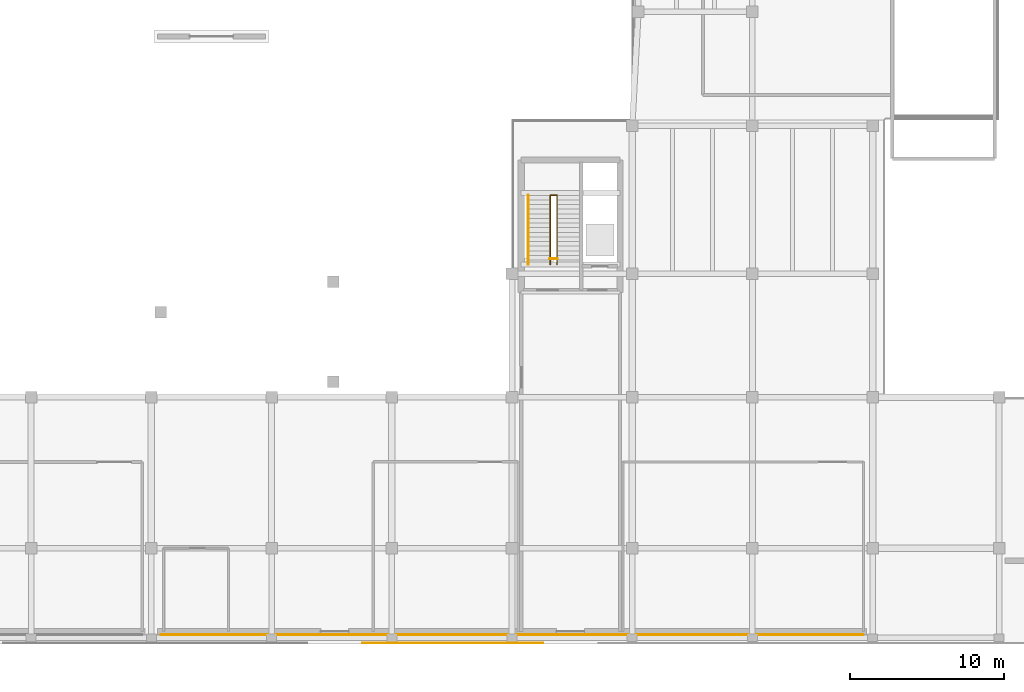
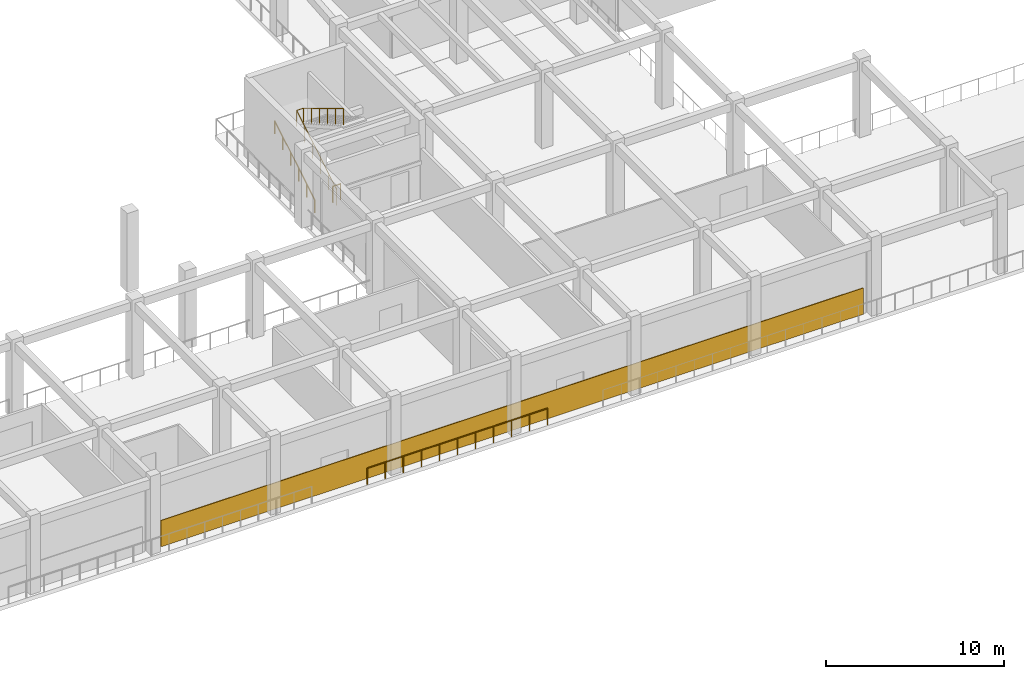
# One storey, part 91 of 96: 4 railings, 1 covering.
"""IFC4 building model written with IfcOpenShell, lengths in metres."""

from ifc_helpers import new_model, si_unit, direction, frame, origin, origin_2d, place, context, subcontext, project, spatial, rectangle, circle, extrude, material, layer, layer_set, type_object, element, save


model = new_model("IFC4")

# Units and contexts
model_context = context("Model", 3, precision=1e-05, world=origin(), true_north=direction((0.0, 1.0)))
body_context = subcontext(model_context, "Body", "Model", "MODEL_VIEW")
ifc_project = project(units=[si_unit("LENGTHUNIT", "METRE"), si_unit("AREAUNIT", "SQUARE_METRE"), si_unit("VOLUMEUNIT", "CUBIC_METRE"), si_unit("PLANEANGLEUNIT", "RADIAN"), si_unit("MASSUNIT", "GRAM", prefix="KILO")], contexts=[model_context])

# Site, building, storey
site_placement = place(None, origin())
site = spatial("IfcSite", under=ifc_project, at=site_placement, CompositionType="ELEMENT")
building_placement = place(site_placement, origin())
building = spatial("IfcBuilding", under=site, at=building_placement, Name="Pelvatis Terrace Science Centre", CompositionType="ELEMENT")
storey_placement = place(building_placement, origin())
storey = spatial("IfcBuildingStorey", under=building, at=storey_placement, Name="L00", CompositionType="ELEMENT", Elevation=0.0)

# Covering
ifc_material_1 = material(Name="Polished black Uruguayan granite ashlar cladding", Category="masonry")
ifc_layer = layer(ifc_material_1, 0.050048828125)
ifc_layer_set = layer_set([ifc_layer], Name="Polished black Uruguayan granite ashlar cladding")
covering_type = type_object("IfcCoveringType", Name="COV-CLAD-GRAN-50", PredefinedType="CLADDING", material=ifc_layer_set)
covering_placement = place(storey_placement, frame((132.60009765625, 0.592529296875, 0.0), z_axis=(0.0, 0.0, 1.0), x_axis=(1.0, 0.0, 0.0)))
element("IfcCovering", 1, at=covering_placement, inside=storey, type_object=covering_type, Name="Polished black granite base cladding EW-L00-S4", PredefinedType="CLADDING", context=body_context, shape_type="SweptSolid", body=[
    extrude(rectangle(XDim=45.60009765625, YDim=0.050048828125, at=origin_2d()), origin(), (0.0, 0.0, 1.0), 1.800048828125),
])

# Railings
ifc_material_2 = material(Name="Bronze-anodised aluminium and laminated safety glass balustrade", Category="aluminium")
railing_type_1 = type_object("IfcRailingType", Name="RLG-BAL-1150", PredefinedType="BALUSTRADE", material=ifc_material_2)
railing_1_placement = place(storey_placement, frame((134.60009765625, 0.06005859375, 0.0)))
element("IfcRailing", 2, at=railing_1_placement, inside=storey, type_object=railing_type_1, Name="Perimeter edge balustrade RLG-EDG-L00-010", PredefinedType="BALUSTRADE", context=body_context, shape_type="SweptSolid", body=[
    extrude(circle(Radius=0.02392578125, at=origin_2d()), frame((0.0, 0.0, 1.1259765625), z_axis=(-1.0, 0.0, 0.0), x_axis=(0.0, -1.0, 0.0)), (0.0, 0.0, 1.0), 11.7001953125),
    extrude(circle(Radius=0.02099609375, at=origin_2d()), origin(), (0.0, 0.0, 1.0), 1.101806640625),
    extrude(circle(Radius=0.02099609375, at=origin_2d()), frame((-1.169921875, 0.0, 0.0)), (0.0, 0.0, 1.0), 1.101806640625),
    extrude(circle(Radius=0.02099609375, at=origin_2d()), frame((-2.340087890625, 0.0, 0.0)), (0.0, 0.0, 1.0), 1.101806640625),
    extrude(circle(Radius=0.02099609375, at=origin_2d()), frame((-3.510009765625, 0.0, 0.0)), (0.0, 0.0, 1.0), 1.101806640625),
    extrude(circle(Radius=0.02099609375, at=origin_2d()), frame((-4.68017578125, 0.0, 0.0)), (0.0, 0.0, 1.0), 1.101806640625),
    extrude(circle(Radius=0.02099609375, at=origin_2d()), frame((-5.85009765625, 0.0, 0.0)), (0.0, 0.0, 1.0), 1.101806640625),
    extrude(circle(Radius=0.02099609375, at=origin_2d()), frame((-7.02001953125, 0.0, 0.0)), (0.0, 0.0, 1.0), 1.101806640625),
    extrude(circle(Radius=0.02099609375, at=origin_2d()), frame((-8.190185546875, 0.0, 0.0)), (0.0, 0.0, 1.0), 1.101806640625),
    extrude(circle(Radius=0.02099609375, at=origin_2d()), frame((-9.360107421875, 0.0, 0.0)), (0.0, 0.0, 1.0), 1.101806640625),
    extrude(circle(Radius=0.02099609375, at=origin_2d()), frame((-10.5302734375, 0.0, 0.0)), (0.0, 0.0, 1.0), 1.101806640625),
    extrude(circle(Radius=0.02099609375, at=origin_2d()), frame((-11.7001953125, 0.0, 0.0)), (0.0, 0.0, 1.0), 1.101806640625),
])
ifc_material_3 = material(Name="Brushed architectural bronze tubular railing", Category="steel")
railing_type_2 = type_object("IfcRailingType", Name="RLG-GRD-1120", PredefinedType="GUARDRAIL", material=ifc_material_3)
railing_2_placement = place(storey_placement, frame((135.080078125, 24.60009765625, 0.0)))
element("IfcRailing", 3, at=railing_2_placement, inside=storey, type_object=railing_type_2, Name="Stair ST-04-L00 inner well guardrail", PredefinedType="GUARDRAIL", context=body_context, shape_type="SweptSolid", body=[
    extrude(circle(Radius=0.02392578125, at=origin_2d()), frame((0.0, 0.0, 1.09619140625), z_axis=(0.0, 0.857497030584, 0.514488913912), x_axis=(-1.0, 0.0, 0.0)), (0.0, 0.0, 1.0), 5.247802734375),
    extrude(circle(Radius=0.02392578125, at=origin_2d()), frame((0.0, 4.5, 3.7958984375), z_axis=(1.0, 0.0, 0.0), x_axis=(0.0, 1.0, 0.0)), (0.0, 0.0, 1.0), 0.43994140625),
    extrude(circle(Radius=0.02392578125, at=origin_2d()), frame((0.43994140625, 4.5, 3.7958984375), z_axis=(0.0, -0.857497030584, 0.514488913912), x_axis=(1.0, 0.0, 0.0)), (0.0, 0.0, 1.0), 5.247802734375),
    extrude(circle(Radius=0.02099609375, at=origin_2d()), origin(), (0.0, 0.0, 1.0), 1.072021484375),
    extrude(circle(Radius=0.02099609375, at=origin_2d()), frame((0.0, 0.89990234375, 0.5400390625)), (0.0, 0.0, 1.0), 1.072021484375),
    extrude(circle(Radius=0.02099609375, at=origin_2d()), frame((0.0, 1.800048828125, 1.080078125)), (0.0, 0.0, 1.0), 1.072021484375),
    extrude(circle(Radius=0.02099609375, at=origin_2d()), frame((0.0, 2.699951171875, 1.619873046875)), (0.0, 0.0, 1.0), 1.072021484375),
    extrude(circle(Radius=0.02099609375, at=origin_2d()), frame((0.0, 3.60009765625, 2.159912109375)), (0.0, 0.0, 1.0), 1.072021484375),
    extrude(circle(Radius=0.02099609375, at=origin_2d()), frame((0.0, 4.5, 2.699951171875)), (0.0, 0.0, 1.0), 1.072021484375),
    extrude(circle(Radius=0.02099609375, at=origin_2d()), frame((0.43994140625, 4.5, 2.699951171875)), (0.0, 0.0, 1.0), 1.072021484375),
    extrude(circle(Radius=0.02099609375, at=origin_2d()), frame((0.43994140625, 3.60009765625, 3.239990234375)), (0.0, 0.0, 1.0), 1.072021484375),
    extrude(circle(Radius=0.02099609375, at=origin_2d()), frame((0.43994140625, 2.699951171875, 3.780029296875)), (0.0, 0.0, 1.0), 1.072021484375),
    extrude(circle(Radius=0.02099609375, at=origin_2d()), frame((0.43994140625, 1.800048828125, 4.31982421875)), (0.0, 0.0, 1.0), 1.072021484375),
    extrude(circle(Radius=0.02099609375, at=origin_2d()), frame((0.43994140625, 0.89990234375, 4.85986328125)), (0.0, 0.0, 1.0), 1.072021484375),
    extrude(circle(Radius=0.02099609375, at=origin_2d()), frame((0.43994140625, 0.0, 5.39990234375)), (0.0, 0.0, 1.0), 1.072021484375),
])
railing_3_placement = place(storey_placement, frame((135.050048828125, 24.97998046875, 0.0)))
element("IfcRailing", 4, at=railing_3_placement, inside=storey, type_object=railing_type_2, Name="Core C4 landing well slot guard (L00)", PredefinedType="GUARDRAIL", context=body_context, shape_type="SweptSolid", body=[
    extrude(circle(Radius=0.02392578125, at=origin_2d()), frame((0.0, 0.0, 1.09619140625), z_axis=(1.0, 0.0, 0.0), x_axis=(0.0, 1.0, 0.0)), (0.0, 0.0, 1.0), 0.5),
    extrude(circle(Radius=0.02099609375, at=origin_2d()), origin(), (0.0, 0.0, 1.0), 1.072021484375),
    extrude(circle(Radius=0.02099609375, at=origin_2d()), frame((0.5, 0.0, 0.0)), (0.0, 0.0, 1.0), 1.072021484375),
])
ifc_material_4 = material(Name="Brushed architectural bronze tubular railing", Category="steel")
railing_type_3 = type_object("IfcRailingType", Name="RLG-HND-0900", PredefinedType="HANDRAIL", material=ifc_material_4)
railing_4_placement = place(storey_placement, frame((133.659912109375, 24.60009765625, 0.0)))
element("IfcRailing", 5, at=railing_4_placement, inside=storey, type_object=railing_type_3, Name="Stair ST-04-L00 wall handrail", PredefinedType="HANDRAIL", context=body_context, shape_type="SweptSolid", body=[
    extrude(circle(Radius=0.02392578125, at=origin_2d()), frame((0.0, 0.0, 0.8759765625), z_axis=(0.0, 0.857497030584, 0.514488913912), x_axis=(-1.0, 0.0, 0.0)), (0.0, 0.0, 1.0), 5.247802734375),
    extrude(circle(Radius=0.02099609375, at=origin_2d()), origin(), (0.0, 0.0, 1.0), 0.851806640625),
    extrude(circle(Radius=0.02099609375, at=origin_2d()), frame((0.0, 0.89990234375, 0.5400390625)), (0.0, 0.0, 1.0), 0.851806640625),
    extrude(circle(Radius=0.02099609375, at=origin_2d()), frame((0.0, 1.800048828125, 1.080078125)), (0.0, 0.0, 1.0), 0.851806640625),
    extrude(circle(Radius=0.02099609375, at=origin_2d()), frame((0.0, 2.699951171875, 1.619873046875)), (0.0, 0.0, 1.0), 0.851806640625),
    extrude(circle(Radius=0.02099609375, at=origin_2d()), frame((0.0, 3.60009765625, 2.159912109375)), (0.0, 0.0, 1.0), 0.851806640625),
    extrude(circle(Radius=0.02099609375, at=origin_2d()), frame((0.0, 4.5, 2.699951171875)), (0.0, 0.0, 1.0), 0.851806640625),
])

save(model, "model.ifc")
